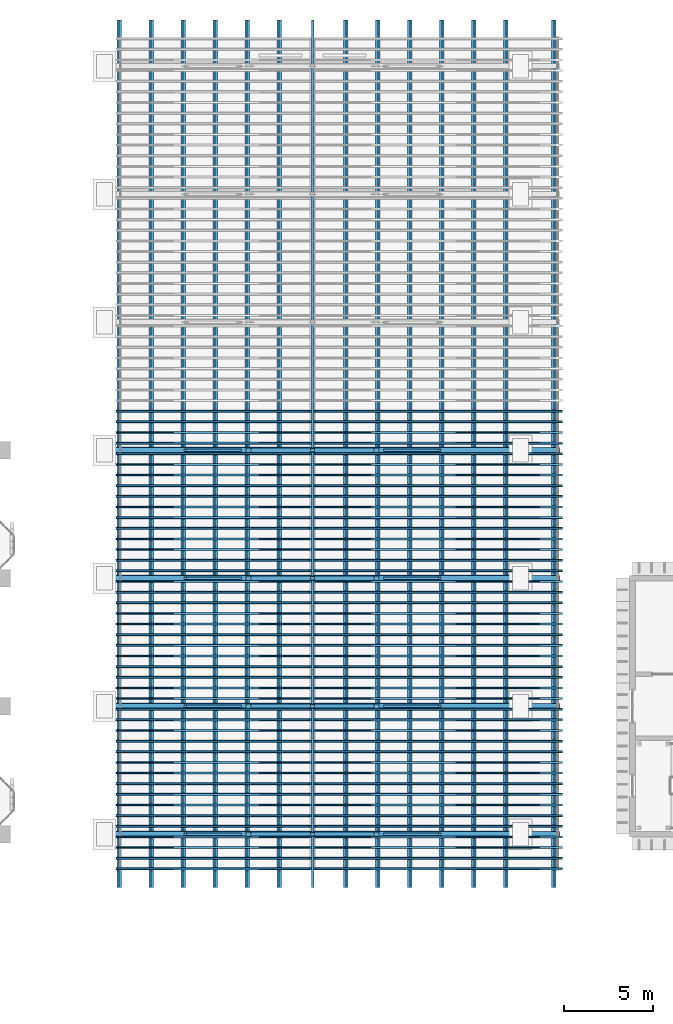
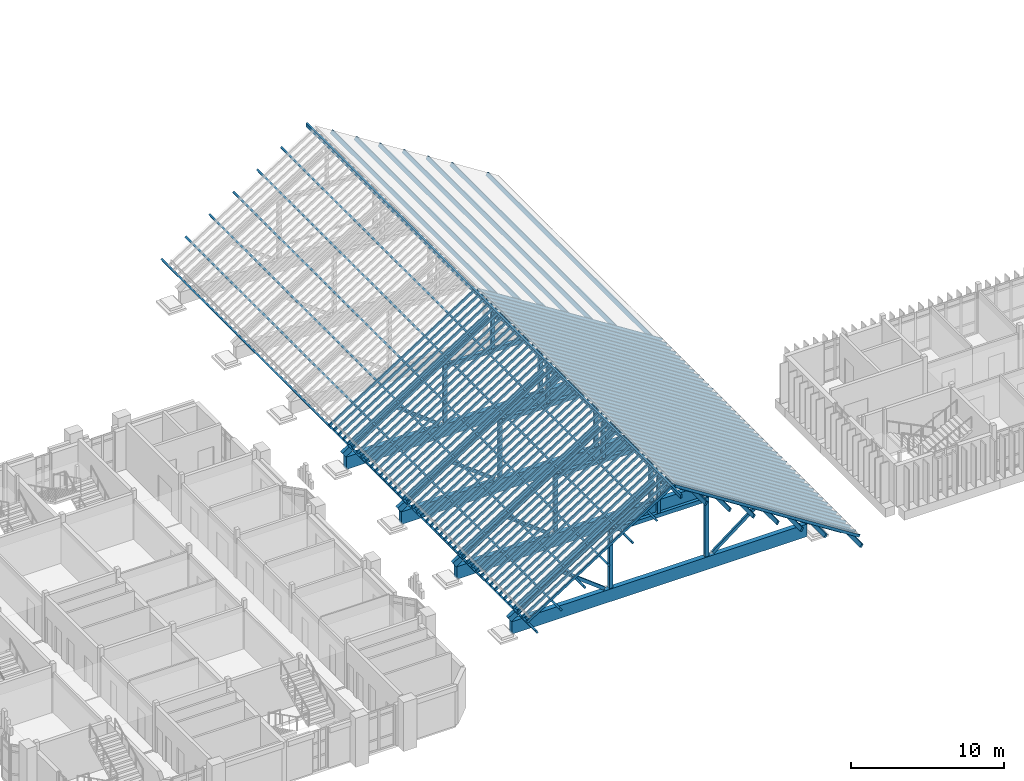
# One storey, part 7 of 71: 134 members, 4 beams.
"""IFC4 building model written with IfcOpenShell, lengths in metres."""

from ifc_helpers import new_model, si_unit, direction, frame, origin, origin_2d, place, context, subcontext, project, spatial, rectangle, extrude, material, material_profile, profile_set, type_object, element, save


model = new_model("IFC4")

# Units and contexts
model_context = context("Model", 3, precision=1e-05, world=origin(), true_north=direction((0.0, 1.0)))
body_context = subcontext(model_context, "Body", "Model", "MODEL_VIEW")
ifc_project = project(units=[si_unit("LENGTHUNIT", "METRE"), si_unit("AREAUNIT", "SQUARE_METRE"), si_unit("VOLUMEUNIT", "CUBIC_METRE"), si_unit("PLANEANGLEUNIT", "RADIAN"), si_unit("MASSUNIT", "GRAM", prefix="KILO")], contexts=[model_context])

# Site, building, storey
site_placement = place(None, origin())
site = spatial("IfcSite", under=ifc_project, at=site_placement, CompositionType="ELEMENT")
building_placement = place(site_placement, origin())
building = spatial("IfcBuilding", under=site, at=building_placement, Name="Mazhai Court Health Centre", CompositionType="ELEMENT")
storey_placement = place(building_placement, frame((0.0, 0.0, 10.199951171875)))
storey = spatial("IfcBuildingStorey", under=building, at=storey_placement, Name="L02", CompositionType="ELEMENT", Elevation=10.199951171875)

# Members
ifc_material_1 = material(Name="Glulam GL24h", Category="wood")
ifc_material_profile_1 = material_profile(ifc_material_1, rectangle(XDim=0.10009765625, YDim=0.199951171875, at=origin_2d()), Name="GL24h 100x200")
ifc_profile_set_1 = profile_set([ifc_material_profile_1], Name="Glulam GL24h")
member_type_1 = type_object("IfcMemberType", Name="GL24h 100x200 rafter", PredefinedType="RAFTER", material=ifc_profile_set_1)
for number, where, z_axis, x_axis, name in (
    (1, (41.99560546875, 11.449951171875, 2.03369140625), (0.84316255296, 0.0, 0.537658729387), (0.0, 1.0, 0.0), "Rafter RV1-RF1"),
    (2, (41.99560546875, 12.048828125, 2.03369140625), (0.84316255296, 0.0, 0.537658729387), (0.0, 1.0, 0.0), "Rafter RV1-RF2"),
    (3, (41.99560546875, 12.6474609375, 2.03369140625), (0.84316255296, 0.0, 0.537658729387), (0.0, 1.0, 0.0), "Rafter RV1-RF3"),
    (4, (41.99560546875, 13.24609375, 2.03369140625), (0.84316255296, 0.0, 0.537658729387), (0.0, 1.0, 0.0), "Rafter RV1-RF4"),
    (5, (41.99560546875, 13.844970703125, 2.03369140625), (0.84316255296, 0.0, 0.537658729387), (0.0, 1.0, 0.0), "Rafter RV1-RF5"),
    (6, (41.99560546875, 14.443603515625, 2.03369140625), (0.84316255296, 0.0, 0.537658729387), (0.0, 1.0, 0.0), "Rafter RV1-RF6"),
    (7, (41.99560546875, 15.042236328125, 2.03369140625), (0.84316255296, 0.0, 0.537658729387), (0.0, 1.0, 0.0), "Rafter RV1-RF7"),
    (8, (41.99560546875, 15.64111328125, 2.03369140625), (0.84316255296, 0.0, 0.537658729387), (0.0, 1.0, 0.0), "Rafter RV1-RF8"),
    (9, (41.99560546875, 16.23974609375, 2.03369140625), (0.84316255296, 0.0, 0.537658729387), (0.0, 1.0, 0.0), "Rafter RV1-RF9"),
    (10, (41.99560546875, 16.83837890625, 2.03369140625), (0.84316255296, 0.0, 0.537658729387), (0.0, 1.0, 0.0), "Rafter RV1-RF10"),
    (11, (41.99560546875, 17.437255859375, 2.03369140625), (0.84316255296, 0.0, 0.537658729387), (0.0, 1.0, 0.0), "Rafter RV1-RF11"),
    (12, (41.99560546875, 18.035888671875, 2.03369140625), (0.84316255296, 0.0, 0.537658729387), (0.0, 1.0, 0.0), "Rafter RV1-RF12"),
    (13, (41.99560546875, 18.634521484375, 2.03369140625), (0.84316255296, 0.0, 0.537658729387), (0.0, 1.0, 0.0), "Rafter RV1-RF13"),
    (14, (41.99560546875, 19.2333984375, 2.03369140625), (0.84316255296, 0.0, 0.537658729387), (0.0, 1.0, 0.0), "Rafter RV1-RF14"),
    (15, (41.99560546875, 19.83203125, 2.03369140625), (0.84316255296, 0.0, 0.537658729387), (0.0, 1.0, 0.0), "Rafter RV1-RF15"),
    (16, (41.99560546875, 20.4306640625, 2.03369140625), (0.84316255296, 0.0, 0.537658729387), (0.0, 1.0, 0.0), "Rafter RV1-RF16"),
    (17, (41.99560546875, 21.029541015625, 2.03369140625), (0.84316255296, 0.0, 0.537658729387), (0.0, 1.0, 0.0), "Rafter RV1-RF17"),
    (18, (41.99560546875, 21.628173828125, 2.03369140625), (0.84316255296, 0.0, 0.537658729387), (0.0, 1.0, 0.0), "Rafter RV1-RF18"),
    (19, (41.99560546875, 22.226806640625, 2.03369140625), (0.84316255296, 0.0, 0.537658729387), (0.0, 1.0, 0.0), "Rafter RV1-RF19"),
    (20, (41.99560546875, 22.82568359375, 2.03369140625), (0.84316255296, 0.0, 0.537658729387), (0.0, 1.0, 0.0), "Rafter RV1-RF20"),
    (21, (41.99560546875, 23.42431640625, 2.03369140625), (0.84316255296, 0.0, 0.537658729387), (0.0, 1.0, 0.0), "Rafter RV1-RF21"),
    (22, (41.99560546875, 24.023193359375, 2.03369140625), (0.84316255296, 0.0, 0.537658729387), (0.0, 1.0, 0.0), "Rafter RV1-RF22"),
    (23, (41.99560546875, 24.621826171875, 2.03369140625), (0.84316255296, 0.0, 0.537658729387), (0.0, 1.0, 0.0), "Rafter RV1-RF23"),
    (24, (41.99560546875, 25.220458984375, 2.03369140625), (0.84316255296, 0.0, 0.537658729387), (0.0, 1.0, 0.0), "Rafter RV1-RF24"),
    (25, (41.99560546875, 25.8193359375, 2.03369140625), (0.84316255296, 0.0, 0.537658729387), (0.0, 1.0, 0.0), "Rafter RV1-RF25"),
    (26, (41.99560546875, 26.41796875, 2.03369140625), (0.84316255296, 0.0, 0.537658729387), (0.0, 1.0, 0.0), "Rafter RV1-RF26"),
    (27, (41.99560546875, 27.0166015625, 2.03369140625), (0.84316255296, 0.0, 0.537658729387), (0.0, 1.0, 0.0), "Rafter RV1-RF27"),
    (28, (41.99560546875, 27.615478515625, 2.03369140625), (0.84316255296, 0.0, 0.537658729387), (0.0, 1.0, 0.0), "Rafter RV1-RF28"),
    (29, (41.99560546875, 28.214111328125, 2.03369140625), (0.84316255296, 0.0, 0.537658729387), (0.0, 1.0, 0.0), "Rafter RV1-RF29"),
    (30, (41.99560546875, 28.812744140625, 2.03369140625), (0.84316255296, 0.0, 0.537658729387), (0.0, 1.0, 0.0), "Rafter RV1-RF30"),
    (31, (41.99560546875, 29.41162109375, 2.03369140625), (0.84316255296, 0.0, 0.537658729387), (0.0, 1.0, 0.0), "Rafter RV1-RF31"),
    (32, (41.99560546875, 30.01025390625, 2.03369140625), (0.84316255296, 0.0, 0.537658729387), (0.0, 1.0, 0.0), "Rafter RV1-RF32"),
    (33, (41.99560546875, 30.60888671875, 2.03369140625), (0.84316255296, 0.0, 0.537658729387), (0.0, 1.0, 0.0), "Rafter RV1-RF33"),
    (34, (41.99560546875, 31.207763671875, 2.03369140625), (0.84316255296, 0.0, 0.537658729387), (0.0, 1.0, 0.0), "Rafter RV1-RF34"),
    (35, (41.99560546875, 31.806396484375, 2.03369140625), (0.84316255296, 0.0, 0.537658729387), (0.0, 1.0, 0.0), "Rafter RV1-RF35"),
    (36, (41.99560546875, 32.405029296875, 2.03369140625), (0.84316255296, 0.0, 0.537658729387), (0.0, 1.0, 0.0), "Rafter RV1-RF36"),
    (37, (41.99560546875, 33.00390625, 2.03369140625), (0.84316255296, 0.0, 0.537658729387), (0.0, 1.0, 0.0), "Rafter RV1-RF37"),
    (38, (41.99560546875, 33.6025390625, 2.03369140625), (0.84316255296, 0.0, 0.537658729387), (0.0, 1.0, 0.0), "Rafter RV1-RF38"),
    (39, (41.99560546875, 34.201171875, 2.03369140625), (0.84316255296, 0.0, 0.537658729387), (0.0, 1.0, 0.0), "Rafter RV1-RF39"),
    (40, (41.99560546875, 34.800048828125, 2.03369140625), (0.84316255296, 0.0, 0.537658729387), (0.0, 1.0, 0.0), "Rafter RV1-RF40"),
    (41, (41.99560546875, 35.398681640625, 2.03369140625), (0.84316255296, 0.0, 0.537658729387), (0.0, 1.0, 0.0), "Rafter RV1-RF41"),
    (42, (41.99560546875, 35.997314453125, 2.03369140625), (0.84316255296, 0.0, 0.537658729387), (0.0, 1.0, 0.0), "Rafter RV1-RF42"),
    (43, (41.99560546875, 36.59619140625, 2.03369140625), (0.84316255296, 0.0, 0.537658729387), (0.0, 1.0, 0.0), "Rafter RV1-RF43"),
    (44, (41.99560546875, 37.19482421875, 2.03369140625), (0.84316255296, 0.0, 0.537658729387), (0.0, 1.0, 0.0), "Rafter RV1-RF44"),
):
    element("IfcMember", number, at=place(storey_placement, frame(where, z_axis=z_axis, x_axis=x_axis)), inside=storey, type_object=member_type_1, Name=name, PredefinedType="RAFTER", context=body_context, shape_type="SweptSolid", body=[
        extrude(rectangle(XDim=0.10009765625, YDim=0.199951171875, at=origin_2d()), origin(), (0.0, 0.0, 1.0), 12.904541015625),
    ])
for number, where, z_axis, x_axis, name in (
    (45, (67.00439453125, 37.19482421875, 0.12060546875), (-0.84316038976, 0.0, 0.537662121726), (0.0, -1.0, 0.0), "Rafter RV1-RF115"),
    (46, (67.00439453125, 36.59619140625, 0.12060546875), (-0.84316038976, 0.0, 0.537662121726), (0.0, -1.0, 0.0), "Rafter RV1-RF116"),
    (47, (67.00439453125, 35.997314453125, 0.12060546875), (-0.84316038976, 0.0, 0.537662121726), (0.0, -1.0, 0.0), "Rafter RV1-RF117"),
    (48, (67.00439453125, 35.398681640625, 0.12060546875), (-0.84316038976, 0.0, 0.537662121726), (0.0, -1.0, 0.0), "Rafter RV1-RF118"),
    (49, (67.00439453125, 34.800048828125, 0.12060546875), (-0.84316038976, 0.0, 0.537662121726), (0.0, -1.0, 0.0), "Rafter RV1-RF119"),
    (50, (67.00439453125, 34.201171875, 0.12060546875), (-0.84316038976, 0.0, 0.537662121726), (0.0, -1.0, 0.0), "Rafter RV1-RF120"),
    (51, (67.00439453125, 33.6025390625, 0.12060546875), (-0.84316038976, 0.0, 0.537662121726), (0.0, -1.0, 0.0), "Rafter RV1-RF121"),
    (52, (67.00439453125, 33.00390625, 0.12060546875), (-0.84316038976, 0.0, 0.537662121726), (0.0, -1.0, 0.0), "Rafter RV1-RF122"),
    (53, (67.00439453125, 32.405029296875, 0.12060546875), (-0.84316038976, 0.0, 0.537662121726), (0.0, -1.0, 0.0), "Rafter RV1-RF123"),
    (54, (67.00439453125, 31.806396484375, 0.12060546875), (-0.84316038976, 0.0, 0.537662121726), (0.0, -1.0, 0.0), "Rafter RV1-RF124"),
    (55, (67.00439453125, 31.207763671875, 0.12060546875), (-0.84316038976, 0.0, 0.537662121726), (0.0, -1.0, 0.0), "Rafter RV1-RF125"),
    (56, (67.00439453125, 30.60888671875, 0.12060546875), (-0.84316038976, 0.0, 0.537662121726), (0.0, -1.0, 0.0), "Rafter RV1-RF126"),
    (57, (67.00439453125, 30.01025390625, 0.12060546875), (-0.84316038976, 0.0, 0.537662121726), (0.0, -1.0, 0.0), "Rafter RV1-RF127"),
    (58, (67.00439453125, 29.41162109375, 0.12060546875), (-0.84316038976, 0.0, 0.537662121726), (0.0, -1.0, 0.0), "Rafter RV1-RF128"),
    (59, (67.00439453125, 28.812744140625, 0.12060546875), (-0.84316038976, 0.0, 0.537662121726), (0.0, -1.0, 0.0), "Rafter RV1-RF129"),
    (60, (67.00439453125, 28.214111328125, 0.12060546875), (-0.84316038976, 0.0, 0.537662121726), (0.0, -1.0, 0.0), "Rafter RV1-RF130"),
    (61, (67.00439453125, 27.615478515625, 0.12060546875), (-0.84316038976, 0.0, 0.537662121726), (0.0, -1.0, 0.0), "Rafter RV1-RF131"),
    (62, (67.00439453125, 27.0166015625, 0.12060546875), (-0.84316038976, 0.0, 0.537662121726), (0.0, -1.0, 0.0), "Rafter RV1-RF132"),
    (63, (67.00439453125, 26.41796875, 0.12060546875), (-0.84316038976, 0.0, 0.537662121726), (0.0, -1.0, 0.0), "Rafter RV1-RF133"),
    (64, (67.00439453125, 25.8193359375, 0.12060546875), (-0.84316038976, 0.0, 0.537662121726), (0.0, -1.0, 0.0), "Rafter RV1-RF134"),
    (65, (67.00439453125, 25.220458984375, 0.12060546875), (-0.84316038976, 0.0, 0.537662121726), (0.0, -1.0, 0.0), "Rafter RV1-RF135"),
    (66, (67.00439453125, 24.621826171875, 0.12060546875), (-0.84316038976, 0.0, 0.537662121726), (0.0, -1.0, 0.0), "Rafter RV1-RF136"),
    (67, (67.00439453125, 24.023193359375, 0.12060546875), (-0.84316038976, 0.0, 0.537662121726), (0.0, -1.0, 0.0), "Rafter RV1-RF137"),
    (68, (67.00439453125, 23.42431640625, 0.12060546875), (-0.84316038976, 0.0, 0.537662121726), (0.0, -1.0, 0.0), "Rafter RV1-RF138"),
    (69, (67.00439453125, 22.82568359375, 0.12060546875), (-0.84316038976, 0.0, 0.537662121726), (0.0, -1.0, 0.0), "Rafter RV1-RF139"),
    (70, (67.00439453125, 22.226806640625, 0.12060546875), (-0.84316038976, 0.0, 0.537662121726), (0.0, -1.0, 0.0), "Rafter RV1-RF140"),
    (71, (67.00439453125, 21.628173828125, 0.12060546875), (-0.84316038976, 0.0, 0.537662121726), (0.0, -1.0, 0.0), "Rafter RV1-RF141"),
    (72, (67.00439453125, 21.029541015625, 0.12060546875), (-0.84316038976, 0.0, 0.537662121726), (0.0, -1.0, 0.0), "Rafter RV1-RF142"),
    (73, (67.00439453125, 20.4306640625, 0.12060546875), (-0.84316038976, 0.0, 0.537662121726), (0.0, -1.0, 0.0), "Rafter RV1-RF143"),
    (74, (67.00439453125, 19.83203125, 0.12060546875), (-0.84316038976, 0.0, 0.537662121726), (0.0, -1.0, 0.0), "Rafter RV1-RF144"),
    (75, (67.00439453125, 19.2333984375, 0.12060546875), (-0.84316038976, 0.0, 0.537662121726), (0.0, -1.0, 0.0), "Rafter RV1-RF145"),
    (76, (67.00439453125, 18.634521484375, 0.12060546875), (-0.84316038976, 0.0, 0.537662121726), (0.0, -1.0, 0.0), "Rafter RV1-RF146"),
    (77, (67.00439453125, 18.035888671875, 0.12060546875), (-0.84316038976, 0.0, 0.537662121726), (0.0, -1.0, 0.0), "Rafter RV1-RF147"),
    (78, (67.00439453125, 17.437255859375, 0.12060546875), (-0.84316038976, 0.0, 0.537662121726), (0.0, -1.0, 0.0), "Rafter RV1-RF148"),
    (79, (67.00439453125, 16.83837890625, 0.12060546875), (-0.84316038976, 0.0, 0.537662121726), (0.0, -1.0, 0.0), "Rafter RV1-RF149"),
    (80, (67.00439453125, 16.23974609375, 0.12060546875), (-0.84316038976, 0.0, 0.537662121726), (0.0, -1.0, 0.0), "Rafter RV1-RF150"),
    (81, (67.00439453125, 15.64111328125, 0.12060546875), (-0.84316038976, 0.0, 0.537662121726), (0.0, -1.0, 0.0), "Rafter RV1-RF151"),
    (82, (67.00439453125, 15.042236328125, 0.12060546875), (-0.84316038976, 0.0, 0.537662121726), (0.0, -1.0, 0.0), "Rafter RV1-RF152"),
    (83, (67.00439453125, 14.443603515625, 0.12060546875), (-0.84316038976, 0.0, 0.537662121726), (0.0, -1.0, 0.0), "Rafter RV1-RF153"),
    (84, (67.00439453125, 13.844970703125, 0.12060546875), (-0.84316038976, 0.0, 0.537662121726), (0.0, -1.0, 0.0), "Rafter RV1-RF154"),
    (85, (67.00439453125, 13.24609375, 0.12060546875), (-0.84316038976, 0.0, 0.537662121726), (0.0, -1.0, 0.0), "Rafter RV1-RF155"),
    (86, (67.00439453125, 12.6474609375, 0.12060546875), (-0.84316038976, 0.0, 0.537662121726), (0.0, -1.0, 0.0), "Rafter RV1-RF156"),
    (87, (67.00439453125, 12.048828125, 0.12060546875), (-0.84316038976, 0.0, 0.537662121726), (0.0, -1.0, 0.0), "Rafter RV1-RF157"),
    (88, (67.00439453125, 11.449951171875, 0.12060546875), (-0.84316038976, 0.0, 0.537662121726), (0.0, -1.0, 0.0), "Rafter RV1-RF158"),
):
    element("IfcMember", number, at=place(storey_placement, frame(where, z_axis=z_axis, x_axis=x_axis)), inside=storey, type_object=member_type_1, Name=name, PredefinedType="RAFTER", context=body_context, shape_type="SweptSolid", body=[
        extrude(rectangle(XDim=0.10009765625, YDim=0.199951171875, at=origin_2d()), origin(), (0.0, 0.0, 1.0), 16.462646484375),
    ])
ifc_material_2 = material(Name="Glulam GL24h", Category="wood")
ifc_material_profile_2 = material_profile(ifc_material_2, rectangle(XDim=0.139892578125, YDim=0.280029296875, at=origin_2d()), Name="GL24h 140x280")
ifc_profile_set_2 = profile_set([ifc_material_profile_2], Name="Glulam GL24h")
member_type_2 = type_object("IfcMemberType", Name="GL24h 140x280 purlin", PredefinedType="PURLIN", material=ifc_profile_set_2)
for number, where, z_axis, x_axis, name in (
    (89, (42.124755859375, 10.39990234375, 1.831298828125), (0.0, 1.0, 0.0), (-0.843161612979, 0.0, -0.537660203473), "Purlin RV1-PU1"),
    (90, (43.9248046875, 10.39990234375, 2.97900390625), (0.0, 1.0, 0.0), (-0.843161612979, 0.0, -0.537660203473), "Purlin RV1-PU2"),
    (91, (45.724609375, 10.39990234375, 4.126953125), (0.0, 1.0, 0.0), (-0.843161612979, 0.0, -0.537660203473), "Purlin RV1-PU3"),
    (92, (47.524658203125, 10.39990234375, 5.274658203125), (0.0, 1.0, 0.0), (-0.843161612979, 0.0, -0.537660203473), "Purlin RV1-PU4"),
    (93, (49.32470703125, 10.39990234375, 6.42236328125), (0.0, 1.0, 0.0), (-0.843161612979, 0.0, -0.537660203473), "Purlin RV1-PU5"),
    (94, (51.124755859375, 10.39990234375, 7.5703125), (0.0, 1.0, 0.0), (-0.843161612979, 0.0, -0.537660203473), "Purlin RV1-PU6"),
    (95, (66.5751953125, 10.39990234375, 0.109619140625), (0.0, 1.0, 0.0), (-0.843161612979, 0.0, 0.537660203473), "Purlin RV1-PU7"),
    (96, (63.875244140625, 10.39990234375, 1.831298828125), (0.0, 1.0, 0.0), (-0.843161612979, 0.0, 0.537660203473), "Purlin RV1-PU8"),
    (97, (62.0751953125, 10.39990234375, 2.97900390625), (0.0, 1.0, 0.0), (-0.843161612979, 0.0, 0.537660203473), "Purlin RV1-PU9"),
    (98, (60.275390625, 10.39990234375, 4.126953125), (0.0, 1.0, 0.0), (-0.843161612979, 0.0, 0.537660203473), "Purlin RV1-PU10"),
    (99, (58.475341796875, 10.39990234375, 5.274658203125), (0.0, 1.0, 0.0), (-0.843161612979, 0.0, 0.537660203473), "Purlin RV1-PU11"),
    (100, (56.67529296875, 10.39990234375, 6.42236328125), (0.0, 1.0, 0.0), (-0.843161612979, 0.0, 0.537660203473), "Purlin RV1-PU12"),
    (101, (54.875244140625, 10.39990234375, 7.5703125), (0.0, 1.0, 0.0), (-0.843161612979, 0.0, 0.537660203473), "Purlin RV1-PU13"),
):
    element("IfcMember", number, at=place(storey_placement, frame(where, z_axis=z_axis, x_axis=x_axis)), inside=storey, type_object=member_type_2, Name=name, PredefinedType="PURLIN", context=body_context, shape_type="SweptSolid", body=[
        extrude(rectangle(XDim=0.139892578125, YDim=0.280029296875, at=origin_2d()), origin(), (0.0, 0.0, 1.0), 48.800048828125),
    ])
ifc_material_3 = material(Name="Glulam GL24h", Category="wood")
ifc_material_profile_3 = material_profile(ifc_material_3, rectangle(XDim=0.139892578125, YDim=0.280029296875, at=origin_2d()), Name="GL24h 140x280")
ifc_profile_set_3 = profile_set([ifc_material_profile_3], Name="Glulam GL24h")
member_type_3 = type_object("IfcMemberType", Name="GL24h 140x280 ridge purlin", PredefinedType="PURLIN", material=ifc_profile_set_3)
member_1_placement = place(storey_placement, frame((53.0, 10.39990234375, 8.792236328125), z_axis=(0.0, 1.0, 0.0), x_axis=(-1.0, 0.0, 0.0)))
element("IfcMember", 102, at=member_1_placement, inside=storey, type_object=member_type_3, Name="Ridge purlin RV1-RP1", PredefinedType="PURLIN", context=body_context, shape_type="SweptSolid", body=[
    extrude(rectangle(XDim=0.139892578125, YDim=0.280029296875, at=origin_2d()), origin(), (0.0, 0.0, 1.0), 48.800048828125),
])
ifc_material_4 = material(Name="Glulam GL24h", Category="wood")
ifc_material_profile_4 = material_profile(ifc_material_4, rectangle(XDim=0.159912109375, YDim=0.239990234375, at=origin_2d()), Name="GL24h 160x240")
ifc_profile_set_4 = profile_set([ifc_material_profile_4], Name="Glulam GL24h")
member_type_4 = type_object("IfcMemberType", Name="GL24h 160x240 strut", PredefinedType="BRACE", material=ifc_profile_set_4)
for number, where, z_axis, x_axis, name in (
    (103, (57.07568359375, 13.39990234375, 1.09521484375), (0.794035366324, 0.0, 0.607871562936), (0.0, 1.0, 0.0), "Strut TV1-1-S1"),
    (104, (48.92431640625, 13.39990234375, 1.09521484375), (-0.794035366324, 0.0, 0.607871562936), (0.0, -1.0, 0.0), "Strut TV1-1-S2"),
    (105, (57.07568359375, 20.60009765625, 1.09521484375), (0.794035366324, 0.0, 0.607871562936), (0.0, 1.0, 0.0), "Strut TV1-2-S1"),
    (106, (48.92431640625, 20.60009765625, 1.09521484375), (-0.794035366324, 0.0, 0.607871562936), (0.0, -1.0, 0.0), "Strut TV1-2-S2"),
    (107, (57.07568359375, 27.800048828125, 1.09521484375), (0.794035366324, 0.0, 0.607871562936), (0.0, 1.0, 0.0), "Strut TV1-3-S1"),
    (108, (48.92431640625, 27.800048828125, 1.09521484375), (-0.794035366324, 0.0, 0.607871562936), (0.0, -1.0, 0.0), "Strut TV1-3-S2"),
    (109, (57.07568359375, 35.0, 1.09521484375), (0.794035366324, 0.0, 0.607871562936), (0.0, 1.0, 0.0), "Strut TV1-4-S1"),
    (110, (48.92431640625, 35.0, 1.09521484375), (-0.794035366324, 0.0, 0.607871562936), (0.0, -1.0, 0.0), "Strut TV1-4-S2"),
):
    element("IfcMember", number, at=place(storey_placement, frame(where, z_axis=z_axis, x_axis=x_axis)), inside=storey, type_object=member_type_4, Name=name, PredefinedType="BRACE", context=body_context, shape_type="SweptSolid", body=[
        extrude(rectangle(XDim=0.159912109375, YDim=0.239990234375, at=origin_2d()), origin(), (0.0, 0.0, 1.0), 3.89111328125),
    ])
ifc_material_5 = material(Name="Glulam GL28h", Category="wood")
ifc_material_profile_5 = material_profile(ifc_material_5, rectangle(XDim=0.199951171875, YDim=0.239990234375, at=origin_2d()), Name="GL28h 200x240")
ifc_profile_set_5 = profile_set([ifc_material_profile_5], Name="Glulam GL28h")
member_type_5 = type_object("IfcMemberType", Name="GL28h 200x240 post", PredefinedType="POST", material=ifc_profile_set_5)
for number, where, z_axis, x_axis, name in (
    (111, (53.0, 13.39990234375, 5.693359375), (0.0, 0.0, 1.0), (0.0, 1.0, 0.0), "Post TV1-1-P3"),
    (112, (53.0, 20.60009765625, 5.693359375), (0.0, 0.0, 1.0), (0.0, 1.0, 0.0), "Post TV1-2-P3"),
    (113, (53.0, 27.800048828125, 5.693359375), (0.0, 0.0, 1.0), (0.0, 1.0, 0.0), "Post TV1-3-P3"),
    (114, (53.0, 35.0, 5.693359375), (0.0, 0.0, 1.0), (0.0, 1.0, 0.0), "Post TV1-4-P3"),
):
    element("IfcMember", number, at=place(storey_placement, frame(where, z_axis=z_axis, x_axis=x_axis)), inside=storey, type_object=member_type_5, Name=name, PredefinedType="POST", context=body_context, shape_type="SweptSolid", body=[
        extrude(rectangle(XDim=0.199951171875, YDim=0.239990234375, at=origin_2d()), origin(), (0.0, 0.0, 1.0), 2.958740234375),
    ])
ifc_material_6 = material(Name="Glulam GL28h", Category="wood")
ifc_material_profile_6 = material_profile(ifc_material_6, rectangle(XDim=0.239990234375, YDim=0.280029296875, at=origin_2d()), Name="GL28h 240x280")
ifc_profile_set_6 = profile_set([ifc_material_profile_6], Name="Glulam GL28h")
member_type_6 = type_object("IfcMemberType", Name="GL28h 240x280 post", PredefinedType="POST", material=ifc_profile_set_6)
for number, where, z_axis, x_axis, name in (
    (115, (56.60009765625, 13.39990234375, 1.0), (0.0, 0.0, 1.0), (0.0, 1.0, 0.0), "Post TV1-1-P1"),
    (116, (49.39990234375, 13.39990234375, 1.0), (0.0, 0.0, 1.0), (0.0, 1.0, 0.0), "Post TV1-1-P2"),
    (117, (56.60009765625, 20.60009765625, 1.0), (0.0, 0.0, 1.0), (0.0, 1.0, 0.0), "Post TV1-2-P1"),
    (118, (49.39990234375, 20.60009765625, 1.0), (0.0, 0.0, 1.0), (0.0, 1.0, 0.0), "Post TV1-2-P2"),
    (119, (56.60009765625, 27.800048828125, 1.0), (0.0, 0.0, 1.0), (0.0, 1.0, 0.0), "Post TV1-3-P1"),
    (120, (49.39990234375, 27.800048828125, 1.0), (0.0, 0.0, 1.0), (0.0, 1.0, 0.0), "Post TV1-3-P2"),
    (121, (56.60009765625, 35.0, 1.0), (0.0, 0.0, 1.0), (0.0, 1.0, 0.0), "Post TV1-4-P1"),
    (122, (49.39990234375, 35.0, 1.0), (0.0, 0.0, 1.0), (0.0, 1.0, 0.0), "Post TV1-4-P2"),
):
    element("IfcMember", number, at=place(storey_placement, frame(where, z_axis=z_axis, x_axis=x_axis)), inside=storey, type_object=member_type_6, Name=name, PredefinedType="POST", context=body_context, shape_type="SweptSolid", body=[
        extrude(rectangle(XDim=0.239990234375, YDim=0.280029296875, at=origin_2d()), origin(), (0.0, 0.0, 1.0), 4.693359375),
    ])
ifc_material_7 = material(Name="Glulam GL28h", Category="wood")
ifc_material_profile_7 = material_profile(ifc_material_7, rectangle(XDim=0.239990234375, YDim=0.320068359375, at=origin_2d()), Name="GL28h 240x320")
ifc_profile_set_7 = profile_set([ifc_material_profile_7], Name="Glulam GL28h")
member_type_7 = type_object("IfcMemberType", Name="GL28h 240x320 collar", PredefinedType="COLLAR", material=ifc_profile_set_7)
for number, where, z_axis, x_axis, name in (
    (123, (56.4599609375, 13.39990234375, 5.533203125), (-1.0, 0.0, 0.0), (0.0, -1.0, 0.0), "Collar TV1-1-SB1"),
    (124, (56.4599609375, 20.60009765625, 5.533203125), (-1.0, 0.0, 0.0), (0.0, -1.0, 0.0), "Collar TV1-2-SB1"),
    (125, (56.4599609375, 27.800048828125, 5.533203125), (-1.0, 0.0, 0.0), (0.0, -1.0, 0.0), "Collar TV1-3-SB1"),
    (126, (56.4599609375, 35.0, 5.533203125), (-1.0, 0.0, 0.0), (0.0, -1.0, 0.0), "Collar TV1-4-SB1"),
):
    element("IfcMember", number, at=place(storey_placement, frame(where, z_axis=z_axis, x_axis=x_axis)), inside=storey, type_object=member_type_7, Name=name, PredefinedType="COLLAR", context=body_context, shape_type="SweptSolid", body=[
        extrude(rectangle(XDim=0.239990234375, YDim=0.320068359375, at=origin_2d()), origin(), (0.0, 0.0, 1.0), 6.919921875),
    ])
ifc_material_8 = material(Name="Glulam GL32h", Category="wood")
ifc_material_profile_8 = material_profile(ifc_material_8, rectangle(XDim=0.280029296875, YDim=0.43994140625, at=origin_2d()), Name="GL32h 280x440")
ifc_profile_set_8 = profile_set([ifc_material_profile_8], Name="Glulam GL32h")
member_type_8 = type_object("IfcMemberType", Name="GL32h 280x440 rafter", PredefinedType="CHORD", material=ifc_profile_set_8)
member_2_placement = place(storey_placement, frame((66.800048828125, 13.39990234375, -0.460693359375), z_axis=(-0.843161041989, 0.0, 0.537661098902), x_axis=(0.0, -1.0, 0.0)))
element("IfcMember", 127, at=member_2_placement, inside=storey, type_object=member_type_8, Name="Rafter TV1-1-R1", PredefinedType="CHORD", context=body_context, shape_type="SweptSolid", body=[
    extrude(rectangle(XDim=0.280029296875, YDim=0.43994140625, at=origin_2d()), origin(), (0.0, 0.0, 1.0), 16.10205078125),
])
member_3_placement = place(storey_placement, frame((52.776611328125, 13.39990234375, 8.19677734375), z_axis=(-0.84315685002, 0.0, -0.537667672698), x_axis=(0.0, -1.0, 0.0)))
element("IfcMember", 128, at=member_3_placement, inside=storey, type_object=member_type_8, Name="Rafter TV1-1-R8", PredefinedType="CHORD", context=body_context, shape_type="SweptSolid", body=[
    extrude(rectangle(XDim=0.280029296875, YDim=0.43994140625, at=origin_2d()), origin(), (0.0, 0.0, 1.0), 13.077880859375),
])
member_4_placement = place(storey_placement, frame((66.800048828125, 20.60009765625, -0.460693359375), z_axis=(-0.843161041989, 0.0, 0.537661098902), x_axis=(0.0, -1.0, 0.0)))
element("IfcMember", 129, at=member_4_placement, inside=storey, type_object=member_type_8, Name="Rafter TV1-2-R1", PredefinedType="CHORD", context=body_context, shape_type="SweptSolid", body=[
    extrude(rectangle(XDim=0.280029296875, YDim=0.43994140625, at=origin_2d()), origin(), (0.0, 0.0, 1.0), 16.10205078125),
])
member_5_placement = place(storey_placement, frame((52.776611328125, 20.60009765625, 8.19677734375), z_axis=(-0.84315685002, 0.0, -0.537667672698), x_axis=(0.0, -1.0, 0.0)))
element("IfcMember", 130, at=member_5_placement, inside=storey, type_object=member_type_8, Name="Rafter TV1-2-R8", PredefinedType="CHORD", context=body_context, shape_type="SweptSolid", body=[
    extrude(rectangle(XDim=0.280029296875, YDim=0.43994140625, at=origin_2d()), origin(), (0.0, 0.0, 1.0), 13.077880859375),
])
member_6_placement = place(storey_placement, frame((66.800048828125, 27.800048828125, -0.460693359375), z_axis=(-0.843161041989, 0.0, 0.537661098902), x_axis=(0.0, -1.0, 0.0)))
element("IfcMember", 131, at=member_6_placement, inside=storey, type_object=member_type_8, Name="Rafter TV1-3-R1", PredefinedType="CHORD", context=body_context, shape_type="SweptSolid", body=[
    extrude(rectangle(XDim=0.280029296875, YDim=0.43994140625, at=origin_2d()), origin(), (0.0, 0.0, 1.0), 16.10205078125),
])
member_7_placement = place(storey_placement, frame((52.776611328125, 27.800048828125, 8.19677734375), z_axis=(-0.84315685002, 0.0, -0.537667672698), x_axis=(0.0, -1.0, 0.0)))
element("IfcMember", 132, at=member_7_placement, inside=storey, type_object=member_type_8, Name="Rafter TV1-3-R8", PredefinedType="CHORD", context=body_context, shape_type="SweptSolid", body=[
    extrude(rectangle(XDim=0.280029296875, YDim=0.43994140625, at=origin_2d()), origin(), (0.0, 0.0, 1.0), 13.077880859375),
])
member_8_placement = place(storey_placement, frame((66.800048828125, 35.0, -0.460693359375), z_axis=(-0.843161041989, 0.0, 0.537661098902), x_axis=(0.0, -1.0, 0.0)))
element("IfcMember", 133, at=member_8_placement, inside=storey, type_object=member_type_8, Name="Rafter TV1-4-R1", PredefinedType="CHORD", context=body_context, shape_type="SweptSolid", body=[
    extrude(rectangle(XDim=0.280029296875, YDim=0.43994140625, at=origin_2d()), origin(), (0.0, 0.0, 1.0), 16.10205078125),
])
member_9_placement = place(storey_placement, frame((52.776611328125, 35.0, 8.19677734375), z_axis=(-0.84315685002, 0.0, -0.537667672698), x_axis=(0.0, -1.0, 0.0)))
element("IfcMember", 134, at=member_9_placement, inside=storey, type_object=member_type_8, Name="Rafter TV1-4-R8", PredefinedType="CHORD", context=body_context, shape_type="SweptSolid", body=[
    extrude(rectangle(XDim=0.280029296875, YDim=0.43994140625, at=origin_2d()), origin(), (0.0, 0.0, 1.0), 13.077880859375),
])

# Beams
ifc_material_9 = material(Name="Glulam GL32h", Category="wood")
ifc_material_profile_9 = material_profile(ifc_material_9, rectangle(XDim=0.360107421875, YDim=1.0, at=origin_2d()), Name="GL32h 360x1000")
ifc_profile_set_9 = profile_set([ifc_material_profile_9], Name="Glulam GL32h")
beam_type = type_object("IfcBeamType", Name="GL32h 360x1000 tie", PredefinedType="BEAM", material=ifc_profile_set_9)
for number, where, z_axis, x_axis, name in (
    (135, (64.10009765625, 13.39990234375, 0.5), (-1.0, 0.0, 0.0), (0.0, -1.0, 0.0), "Tie TV1-1-TB1"),
    (136, (64.10009765625, 20.60009765625, 0.5), (-1.0, 0.0, 0.0), (0.0, -1.0, 0.0), "Tie TV1-2-TB1"),
    (137, (64.10009765625, 27.800048828125, 0.5), (-1.0, 0.0, 0.0), (0.0, -1.0, 0.0), "Tie TV1-3-TB1"),
    (138, (64.10009765625, 35.0, 0.5), (-1.0, 0.0, 0.0), (0.0, -1.0, 0.0), "Tie TV1-4-TB1"),
):
    element("IfcBeam", number, at=place(storey_placement, frame(where, z_axis=z_axis, x_axis=x_axis)), inside=storey, type_object=beam_type, Name=name, PredefinedType="BEAM", context=body_context, shape_type="SweptSolid", body=[
        extrude(rectangle(XDim=0.360107421875, YDim=1.0, at=origin_2d()), origin(), (0.0, 0.0, 1.0), 22.2001953125),
    ])

save(model, "model.ifc")
